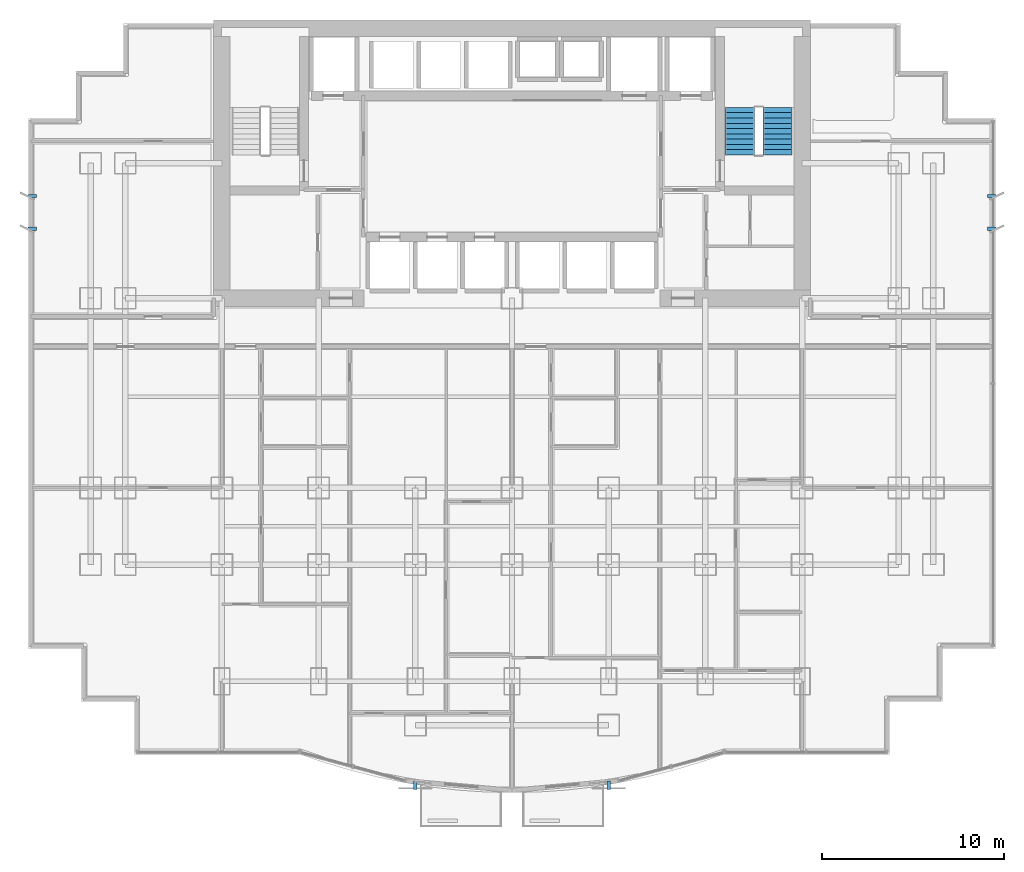
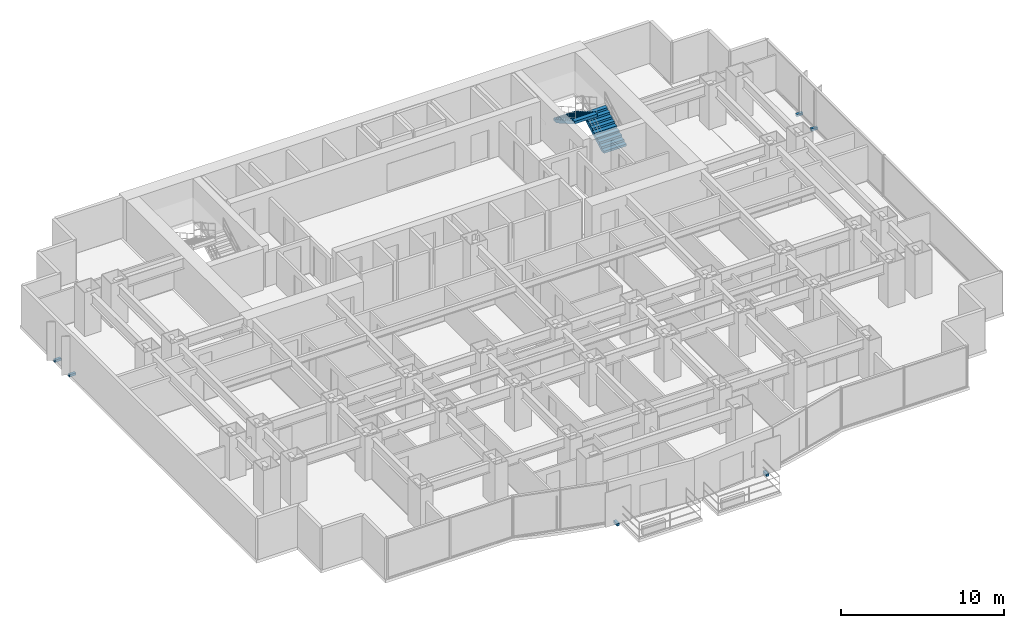
# One storey, part 10 of 12: 6 discrete accessories, 2 stair flights, 1 element without a shape of its own.
"""IFC4 building model written with IfcOpenShell, lengths in metres."""

from ifc_helpers import new_model, si_unit, direction, frame, origin, origin_2d, place, context, subcontext, project, spatial, polyline, rectangle, outline, extrude, source, transform, mapped, material, type_object, element, aggregate, save


model = new_model("IFC4")

# Units and contexts
model_context = context("Model", 3, precision=1e-05, world=origin(), true_north=direction((0.0, 1.0)))
body_context = subcontext(model_context, "Body", "Model", "MODEL_VIEW")
ifc_project = project(units=[si_unit("LENGTHUNIT", "METRE"), si_unit("AREAUNIT", "SQUARE_METRE"), si_unit("VOLUMEUNIT", "CUBIC_METRE"), si_unit("PLANEANGLEUNIT", "RADIAN"), si_unit("MASSUNIT", "GRAM", prefix="KILO")], contexts=[model_context])

# Site, building, storey
site_placement = place(None, origin())
site = spatial("IfcSite", under=ifc_project, at=site_placement, CompositionType="ELEMENT")
building_placement = place(site_placement, origin())
building = spatial("IfcBuilding", under=site, at=building_placement, Name="Qianlan Lanfeng Residences", CompositionType="ELEMENT")
storey_placement = place(building_placement, frame((0.0, 0.0, 44.0)))
storey = spatial("IfcBuildingStorey", under=building, at=storey_placement, Name="L11", CompositionType="ELEMENT", Elevation=44.0)

# Stair, stair flights
ifc_material_1 = material(Name="Concrete C42", Category="concrete")
stair_type = type_object("IfcStairType", Name="STR-MAIN", PredefinedType="HALF_TURN_STAIR", material=ifc_material_1)
stair_placement = place(storey_placement, origin())
stair = element("IfcStair", 1, at=stair_placement, inside=storey, type_object=stair_type, Name="L11 Exit Stair ST-2", PredefinedType="HALF_TURN_STAIR")
stair_flight_type = type_object("IfcStairFlightType", Name="FLT-1720", PredefinedType="STRAIGHT", material=ifc_material_1)
stair_flight_1_placement = place(storey_placement, frame((41.06005859375, 33.050048828125, 0.0), z_axis=(0.0, 0.0, 1.0), x_axis=(0.0, 1.0, 0.0)))
stair_flight_1 = element("IfcStairFlight", 2, at=stair_flight_1_placement, type_object=stair_flight_type, Name="ST-2 flight 1", NumberOfRisers=10, NumberOfTreads=9, PredefinedType="STRAIGHT", RiserHeight=0.165, TreadLength=0.29, context=body_context, shape_type="SweptSolid", body=[
    extrude(outline(polyline([(0.0, 0.0), (0.0, 0.1650390625), (0.2900390625, 0.1650390625), (0.2900390625, 0.330078125), (0.580078125, 0.330078125), (0.580078125, 0.4951171875), (0.8701171875, 0.4951171875), (0.8701171875, 0.659912109375), (1.159912109375, 0.659912109375), (1.159912109375, 0.824951171875), (1.449951171875, 0.824951171875), (1.449951171875, 0.989990234375), (1.739990234375, 0.989990234375), (1.739990234375, 1.155029296875), (2.030029296875, 1.155029296875), (2.030029296875, 1.320068359375), (2.320068359375, 1.320068359375), (2.320068359375, 1.485107421875), (2.610107421875, 1.485107421875), (2.610107421875, 1.64990234375), (2.610107421875, 1.278076171875), (0.36376953125, 0.0), (0.0, 0.0)])), frame((0.0, 0.800048828125, 0.0), z_axis=(0.0, -1.0, 0.0), x_axis=(1.0, 0.0, 0.0)), (0.0, 0.0, 1.0), 1.60009765625),
])
stair_flight_2_placement = place(storey_placement, frame((38.97998046875, 35.659912109375, 1.64990234375), z_axis=(0.0, 0.0, 1.0), x_axis=(0.0, -1.0, 0.0)))
stair_flight_2 = element("IfcStairFlight", 3, at=stair_flight_2_placement, type_object=stair_flight_type, Name="ST-2 flight 2", NumberOfRisers=10, NumberOfTreads=9, PredefinedType="STRAIGHT", RiserHeight=0.165, TreadLength=0.29, context=body_context, shape_type="SweptSolid", body=[
    extrude(outline(polyline([(0.0, 0.0), (0.0, 0.1650390625), (0.2900390625, 0.1650390625), (0.2900390625, 0.330078125), (0.580078125, 0.330078125), (0.580078125, 0.4951171875), (0.8701171875, 0.4951171875), (0.8701171875, 0.659912109375), (1.159912109375, 0.659912109375), (1.159912109375, 0.824951171875), (1.449951171875, 0.824951171875), (1.449951171875, 0.989990234375), (1.739990234375, 0.989990234375), (1.739990234375, 1.155029296875), (2.030029296875, 1.155029296875), (2.030029296875, 1.320068359375), (2.320068359375, 1.320068359375), (2.320068359375, 1.485107421875), (2.610107421875, 1.485107421875), (2.610107421875, 1.64990234375), (2.610107421875, 1.278076171875), (0.36376953125, 0.0), (0.0, 0.0)])), frame((0.0, 0.800048828125, 0.0), z_axis=(0.0, -1.0, 0.0), x_axis=(1.0, 0.0, 0.0)), (0.0, 0.0, 1.0), 1.60009765625),
])
aggregate(stair, [stair_flight_1, stair_flight_2])

# Discrete accessories
ifc_material_2 = material(Name="Stainless Steel Facade Bracket", Category="steel")
discrete_accessory_type = type_object("IfcDiscreteAccessoryType", Name="BRK-SS-350", PredefinedType="BRACKET", material=ifc_material_2)
shared_shape_1 = source(origin(), body_context, "Body", "SweptSolid", [
    extrude(rectangle(XDim=0.179931640625, YDim=0.449951171875, at=origin_2d()), origin(), (0.0, 0.0, 1.0), 0.179931640625),
])
for number, where, z_axis, x_axis, name in (
    (4, (21.199951171875, -1.5, -0.14990234375), (0.0, 0.0, 1.0), (1.0, 0.0, 0.0), "L11 Solar Screen Support Bracket 1"),
    (5, (31.800048828125, -1.5, -0.14990234375), (0.0, 0.0, 1.0), (1.0, 0.0, 0.0), "L11 Solar Screen Support Bracket 2"),
):
    element("IfcDiscreteAccessory", number, at=place(storey_placement, frame(where, z_axis=z_axis, x_axis=x_axis)), inside=storey, type_object=discrete_accessory_type, Name=name, PredefinedType="BRACKET", context=body_context, shape_type="MappedRepresentation", body=[
        mapped(shared_shape_1, transform((0.0, 0.0, 0.0), scale=1.0)),
    ])
shared_shape_2 = source(origin(), body_context, "Body", "SweptSolid", [
    extrude(rectangle(XDim=0.449951171875, YDim=0.179931640625, at=origin_2d()), origin(), (0.0, 0.0, 1.0), 0.179931640625),
])
for number, where, z_axis, x_axis, name in (
    (6, (0.199951171875, 29.0, -0.14990234375), (0.0, 0.0, 1.0), (1.0, 0.0, 0.0), "L11 Raked Solar Fin Support Bracket W1"),
    (7, (0.199951171875, 30.800048828125, -0.14990234375), (0.0, 0.0, 1.0), (1.0, 0.0, 0.0), "L11 Raked Solar Fin Support Bracket W2"),
    (8, (52.800048828125, 29.0, -0.14990234375), (0.0, 0.0, 1.0), (1.0, 0.0, 0.0), "L11 Raked Solar Fin Support Bracket E1"),
    (9, (52.800048828125, 30.800048828125, -0.14990234375), (0.0, 0.0, 1.0), (1.0, 0.0, 0.0), "L11 Raked Solar Fin Support Bracket E2"),
):
    element("IfcDiscreteAccessory", number, at=place(storey_placement, frame(where, z_axis=z_axis, x_axis=x_axis)), inside=storey, type_object=discrete_accessory_type, Name=name, PredefinedType="BRACKET", context=body_context, shape_type="MappedRepresentation", body=[
        mapped(shared_shape_2, transform((0.0, 0.0, 0.0), scale=1.0)),
    ])

save(model, "model.ifc")
